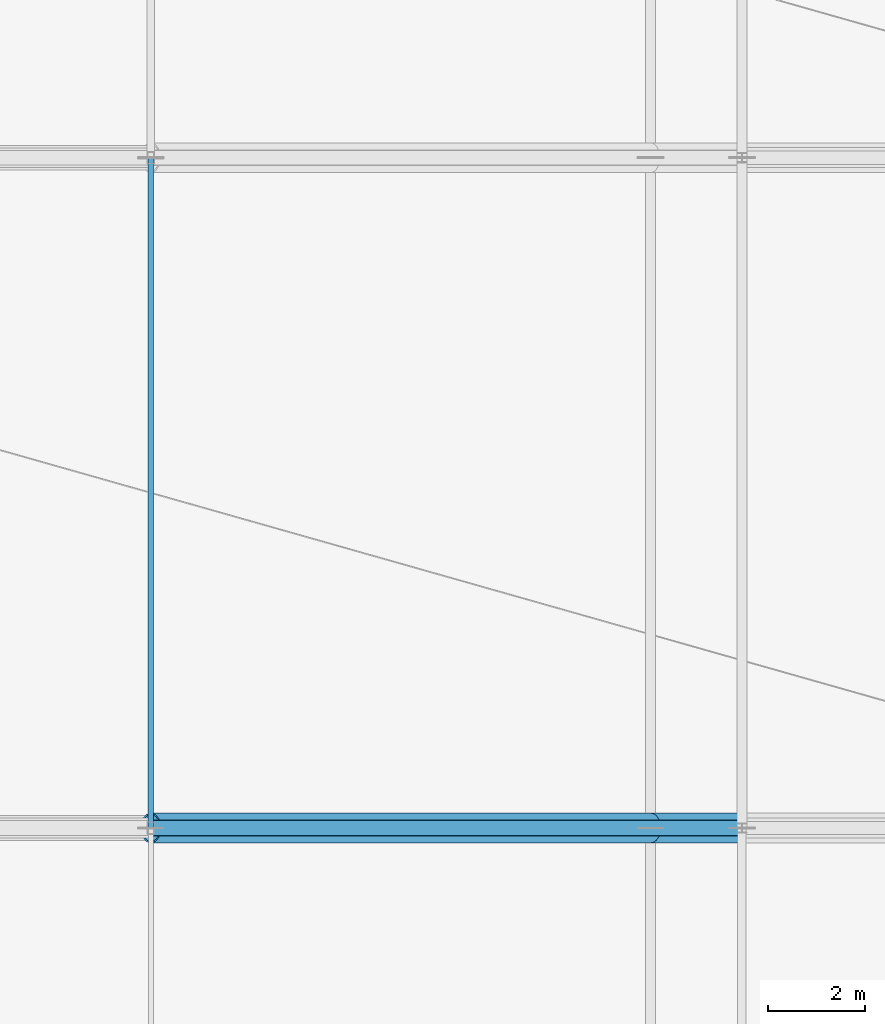
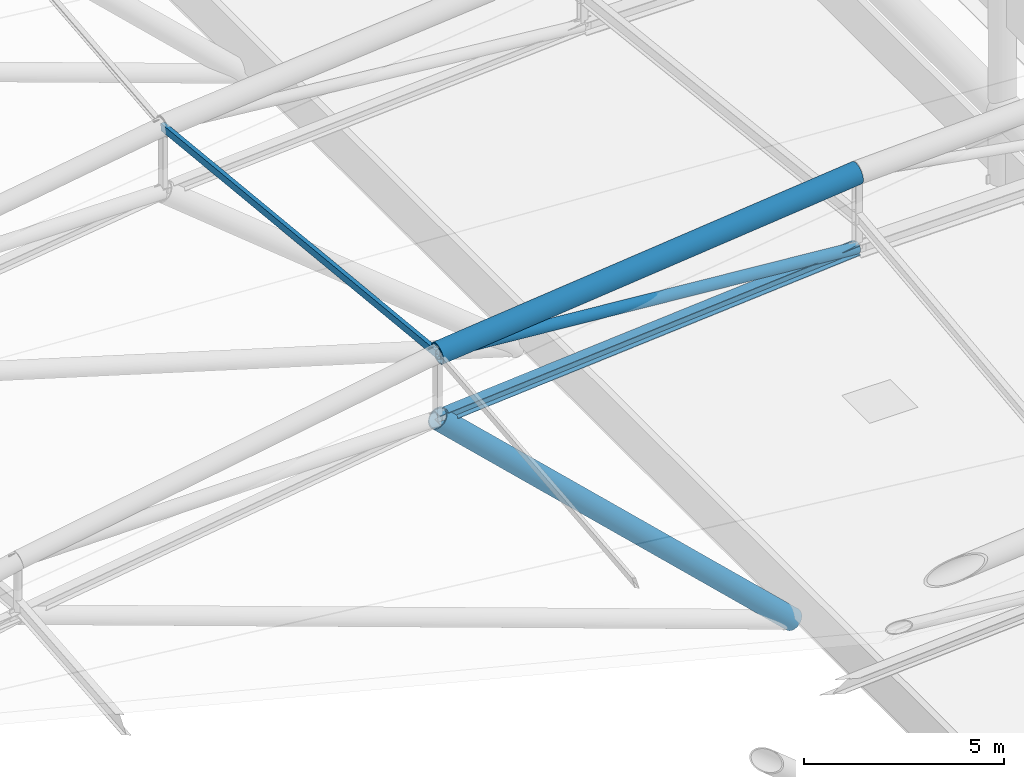
# One storey, part 35 of 113: 5 members.
"""IFC4 building model written with IfcOpenShell, lengths in metres."""

from ifc_helpers import new_model, si_unit, direction, frame, origin, origin_2d, place, context, subcontext, project, spatial, hollow_rectangle, hollow_circle, i_section, extrude, material, material_profile, profile_set, type_object, element, save


model = new_model("IFC4")

# Units and contexts
model_context = context("Model", 3, precision=1e-05, world=origin(), true_north=direction((0.0, 1.0)))
body_context = subcontext(model_context, "Body", "Model", "MODEL_VIEW")
ifc_project = project(units=[si_unit("LENGTHUNIT", "METRE"), si_unit("AREAUNIT", "SQUARE_METRE"), si_unit("VOLUMEUNIT", "CUBIC_METRE"), si_unit("PLANEANGLEUNIT", "RADIAN"), si_unit("MASSUNIT", "GRAM", prefix="KILO")], contexts=[model_context])

# Site, building, storey
site_placement = place(None, origin())
site = spatial("IfcSite", under=ifc_project, at=site_placement, CompositionType="ELEMENT")
building_placement = place(site_placement, origin())
building = spatial("IfcBuilding", under=site, at=building_placement, Name="Linyun Crest Stadium", CompositionType="ELEMENT")
storey_placement = place(building_placement, frame((0.0, 0.0, 26.39990234375)))
storey = spatial("IfcBuildingStorey", under=building, at=storey_placement, Name="L06", CompositionType="ELEMENT", Elevation=26.39990234375)

# Members
ifc_material_1 = material(Name="Steel Q355C", Category="steel")
ifc_material_profile_1 = material_profile(ifc_material_1, hollow_rectangle(XDim=0.1201171875, YDim=0.219970703125, WallThickness=0.008056640625, at=origin_2d()), Name="RHS 220x120x8")
ifc_profile_set_1 = profile_set([ifc_material_profile_1], Name="Steel Q355C")
member_type_1 = type_object("IfcMemberType", Name="AR03", PredefinedType="USERDEFINED", material=ifc_profile_set_1)
member_1_placement = place(storey_placement, frame((59.75, -25.375, 11.502197265625), z_axis=(0.0, 0.994834033314, -0.101514758336), x_axis=(-1.0, 0.0, 0.0)))
element("IfcMember", 1, at=member_1_placement, inside=storey, type_object=member_type_1, Name="Art Nouveau canopy arch rib AR03 V2 344", ObjectType="ARCH RIB", PredefinedType="USERDEFINED", context=body_context, shape_type="SweptSolid", body=[
    extrude(hollow_rectangle(XDim=0.1201171875, YDim=0.219970703125, WallThickness=0.008056640625, at=origin_2d()), origin(), (0.0, 0.0, 1.0), 13.8212890625),
])
ifc_material_2 = material(Name="Steel Q420C", Category="steel")
ifc_material_profile_2 = material_profile(ifc_material_2, hollow_circle(Radius=0.304931640625, WallThickness=0.030029296875, at=origin_2d()), Name="CHS 610x30")
ifc_profile_set_2 = profile_set([ifc_material_profile_2], Name="Steel Q420C")
member_type_2 = type_object("IfcMemberType", Name="TC02", PredefinedType="CHORD", material=ifc_profile_set_2)
member_2_placement = place(storey_placement, frame((71.875, -25.375, 12.776123046875), z_axis=(-0.99452584315, 0.0, -0.104490895811), x_axis=(0.0, -1.0, 0.0)))
element("IfcMember", 2, at=member_2_placement, inside=storey, type_object=member_type_2, Name="Roof truss top chord TC02 V2 224", PredefinedType="CHORD", context=body_context, shape_type="SweptSolid", body=[
    extrude(hollow_circle(Radius=0.304931640625, WallThickness=0.030029296875, at=origin_2d()), origin(), (0.0, 0.0, 1.0), 12.191650390625),
])
member_3_placement = place(storey_placement, frame((70.0, -25.375, -0.21484375), z_axis=(-0.724876997796, 0.0, 0.688878318766), x_axis=(0.0, -1.0, 0.0)))
element("IfcMember", 3, at=member_3_placement, inside=storey, type_object=member_type_2, Name="Roof arch inclined support strut TC02 V2 236", PredefinedType="CHORD", context=body_context, shape_type="SweptSolid", body=[
    extrude(hollow_circle(Radius=0.304931640625, WallThickness=0.030029296875, at=origin_2d()), origin(), (0.0, 0.0, 1.0), 14.140380859375),
])
ifc_material_3 = material(Name="Steel Q355C", Category="steel")
ifc_material_profile_3 = material_profile(ifc_material_3, i_section(OverallWidth=0.300048828125, OverallDepth=0.300048828125, WebThickness=0.010009765625, FlangeThickness=0.014892578125, at=origin_2d()), Name="HW 300x300")
ifc_profile_set_3 = profile_set([ifc_material_profile_3], Name="Steel Q355C")
member_type_3 = type_object("IfcMemberType", Name="TC03", PredefinedType="CHORD", material=ifc_profile_set_3)
member_4_placement = place(storey_placement, frame((71.875, -25.375, 10.488037109375), z_axis=(-0.996867904873, 0.0, -0.079084639683), x_axis=(0.0, -1.0, 0.0)))
element("IfcMember", 4, at=member_4_placement, inside=storey, type_object=member_type_3, Name="Roof truss bottom chord TC03 V2 225", PredefinedType="CHORD", context=body_context, shape_type="SweptSolid", body=[
    extrude(i_section(OverallWidth=0.300048828125, OverallDepth=0.300048828125, WebThickness=0.010009765625, FlangeThickness=0.014892578125, at=origin_2d()), origin(), (0.0, 0.0, 1.0), 12.1630859375),
])
ifc_material_4 = material(Name="Steel Q355C", Category="steel")
ifc_material_profile_4 = material_profile(ifc_material_4, hollow_circle(Radius=0.16259765625, WallThickness=0.01611328125, at=origin_2d()), Name="CHS 325x16")
ifc_profile_set_4 = profile_set([ifc_material_profile_4], Name="Steel Q355C")
member_type_4 = type_object("IfcMemberType", Name="TD02", PredefinedType="BRACE", material=ifc_profile_set_4)
member_5_placement = place(storey_placement, frame((71.875, -25.375, 10.488037109375), z_axis=(-0.996520249302, 0.0, 0.083351021174), x_axis=(0.0, -1.0, 0.0)))
element("IfcMember", 5, at=member_5_placement, inside=storey, type_object=member_type_4, Name="Roof truss diagonal TD02 V2 226", PredefinedType="BRACE", context=body_context, shape_type="SweptSolid", body=[
    extrude(hollow_circle(Radius=0.16259765625, WallThickness=0.01611328125, at=origin_2d()), origin(), (0.0, 0.0, 1.0), 12.167236328125),
])

save(model, "model.ifc")
